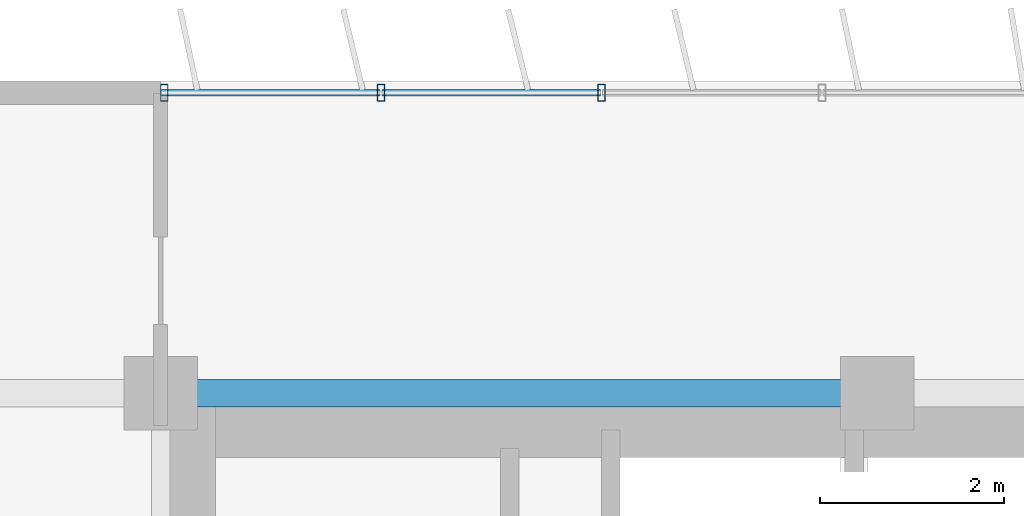
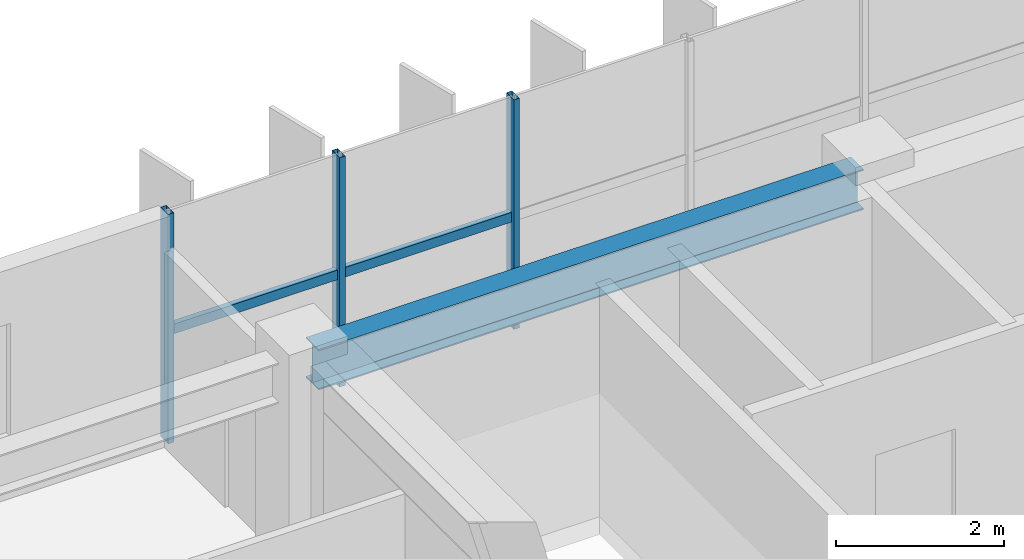
# One storey, part 5 of 22: 5 members, 1 beam, 1 element without a shape of its own.
"""IFC4 building model written with IfcOpenShell, lengths in metres."""

from ifc_helpers import new_model, si_unit, direction, frame, origin, origin_2d, place, context, subcontext, project, spatial, hollow_rectangle, i_section, extrude, source, transform, mapped, material, material_profile, profile_set, type_object, element, aggregate, save


model = new_model("IFC4")

# Units and contexts
model_context = context("Model", 3, precision=1e-05, world=origin(), true_north=direction((0.0, 1.0)))
body_context = subcontext(model_context, "Body", "Model", "MODEL_VIEW")
ifc_project = project(units=[si_unit("LENGTHUNIT", "METRE"), si_unit("AREAUNIT", "SQUARE_METRE"), si_unit("VOLUMEUNIT", "CUBIC_METRE"), si_unit("PLANEANGLEUNIT", "RADIAN"), si_unit("MASSUNIT", "GRAM", prefix="KILO")], contexts=[model_context])

# Site, building, storey
site_placement = place(None, origin())
site = spatial("IfcSite", under=ifc_project, at=site_placement, CompositionType="ELEMENT")
building_placement = place(site_placement, origin())
building = spatial("IfcBuilding", under=site, at=building_placement, Name="Trelvane Seafront Commons", CompositionType="ELEMENT")
storey_placement = place(building_placement, frame((0.0, 0.0, 96.10009765625)))
storey = spatial("IfcBuildingStorey", under=building, at=storey_placement, Name="L24", CompositionType="ELEMENT", Elevation=96.10009765625)

# Beam
ifc_material_1 = material(Name="Steel SM355 (S355)", Category="steel")
ifc_material_profile_1 = material_profile(ifc_material_1, i_section(OverallWidth=0.300048828125, OverallDepth=0.587890625, WebThickness=0.011962890625, FlangeThickness=0.02001953125, at=origin_2d()), Name="H-588x300x12x20")
ifc_profile_set_1 = profile_set([ifc_material_profile_1], Name="Steel SM355 (S355)")
beam_type = type_object("IfcBeamType", Name="STR-BM-H588", PredefinedType="BEAM", material=ifc_profile_set_1)
shared_shape_1 = source(origin(), body_context, "Body", "SweptSolid", [
    extrude(i_section(OverallWidth=0.300048828125, OverallDepth=0.587890625, WebThickness=0.011962890625, FlangeThickness=0.02001953125, at=origin_2d()), origin(), (0.0, 0.0, 1.0), 7.5),
])
beam_placement = place(storey_placement, frame((15.75, 45.10009765625, 3.0458984375), z_axis=(1.0, 0.0, 0.0), x_axis=(0.0, 1.0, 0.0)))
element("IfcBeam", 1, at=beam_placement, inside=storey, type_object=beam_type, Name="L24 Primary Girder G-30", PredefinedType="BEAM", context=body_context, shape_type="MappedRepresentation", body=[
    mapped(shared_shape_1, transform((0.0, 0.0, 0.0), x_axis=(1.0, 0.0, 0.0), y_axis=(0.0, 1.0, 0.0), z_axis=(0.0, 0.0, 1.0), scale=1.0)),
])

# Curtain wall, members
ifc_material_2 = material(Name="Anodised pale-silver aluminium", Category="aluminium")
curtain_wall_type = type_object("IfcCurtainWallType", Name="ARCH-CW4-SKYLOBBY", PredefinedType="NOTDEFINED", material=ifc_material_2)
curtain_wall_placement = place(storey_placement, origin())
curtain_wall = element("IfcCurtainWall", 2, at=curtain_wall_placement, inside=storey, type_object=curtain_wall_type, Name="CW-L24-0049", PredefinedType="NOTDEFINED")
ifc_material_profile_2 = material_profile(ifc_material_2, hollow_rectangle(XDim=0.074951171875, YDim=0.139892578125, WallThickness=0.00390625, at=origin_2d()), Name="TRAN-75x140x4")
ifc_profile_set_2 = profile_set([ifc_material_profile_2], Name="Anodised pale-silver aluminium")
member_type_1 = type_object("IfcMemberType", Name="ARCH-CW-TRAN-140", PredefinedType="USERDEFINED", material=ifc_profile_set_2)
shared_shape_2 = source(origin(), body_context, "Body", "SweptSolid", [
    extrude(hollow_rectangle(XDim=0.074951171875, YDim=0.139892578125, WallThickness=0.00390625, at=origin_2d()), origin(), (0.0, 0.0, 1.0), 2.3759765625),
])
member_1_placement = place(storey_placement, frame((15.612060546875, 48.3701171875, 1.602783203125), z_axis=(1.0, 0.0, 0.0), x_axis=(0.0, 1.0, 0.0)))
member_1 = element("IfcMember", 3, at=member_1_placement, type_object=member_type_1, Name="CW-L24-0049-T00", ObjectType="TRANSOM", PredefinedType="USERDEFINED", context=body_context, shape_type="MappedRepresentation", body=[
    mapped(shared_shape_2, transform((0.0, 0.0, 0.0), x_axis=(1.0, 0.0, 0.0), y_axis=(0.0, 1.0, 0.0), z_axis=(0.0, 0.0, 1.0), scale=1.0)),
])
member_2_placement = place(storey_placement, frame((18.011962890625, 48.3701171875, 1.602783203125), z_axis=(1.0, 0.0, 0.0), x_axis=(0.0, 1.0, 0.0)))
member_2 = element("IfcMember", 4, at=member_2_placement, type_object=member_type_1, Name="CW-L24-0049-T01", ObjectType="TRANSOM", PredefinedType="USERDEFINED", context=body_context, shape_type="MappedRepresentation", body=[
    mapped(shared_shape_2, transform((0.0, 0.0, 0.0), x_axis=(1.0, 0.0, 0.0), y_axis=(0.0, 1.0, 0.0), z_axis=(0.0, 0.0, 1.0), scale=1.0)),
])
ifc_material_profile_3 = material_profile(ifc_material_2, hollow_rectangle(XDim=0.080078125, YDim=0.179931640625, WallThickness=0.00439453125, at=origin_2d()), Name="MULL-80x180x4.5")
ifc_profile_set_3 = profile_set([ifc_material_profile_3], Name="Anodised pale-silver aluminium")
member_type_2 = type_object("IfcMemberType", Name="ARCH-CW-MULL-180", PredefinedType="MULLION", material=ifc_profile_set_3)
shared_shape_3 = source(origin(), body_context, "Body", "SweptSolid", [
    extrude(hollow_rectangle(XDim=0.080078125, YDim=0.179931640625, WallThickness=0.00439453125, at=origin_2d()), origin(), (0.0, 0.0, 1.0), 3.33984375),
])
member_3_placement = place(storey_placement, frame((15.639892578125, 48.3701171875, 0.0), z_axis=(0.0, 0.0, 1.0), x_axis=(1.0, 0.0, 0.0)))
member_3 = element("IfcMember", 5, at=member_3_placement, type_object=member_type_2, Name="CW-L24-0049-M00", PredefinedType="MULLION", context=body_context, shape_type="MappedRepresentation", body=[
    mapped(shared_shape_3, transform((0.0, 0.0, 0.0), x_axis=(1.0, 0.0, 0.0), y_axis=(0.0, 1.0, 0.0), z_axis=(0.0, 0.0, 1.0), scale=1.0)),
])
member_4_placement = place(storey_placement, frame((18.0, 48.3701171875, 0.0), z_axis=(0.0, 0.0, 1.0), x_axis=(1.0, 0.0, 0.0)))
member_4 = element("IfcMember", 6, at=member_4_placement, type_object=member_type_2, Name="CW-L24-0049-M01", PredefinedType="MULLION", context=body_context, shape_type="MappedRepresentation", body=[
    mapped(shared_shape_3, transform((0.0, 0.0, 0.0), x_axis=(1.0, 0.0, 0.0), y_axis=(0.0, 1.0, 0.0), z_axis=(0.0, 0.0, 1.0), scale=1.0)),
])
member_5_placement = place(storey_placement, frame((20.39990234375, 48.3701171875, 0.0), z_axis=(0.0, 0.0, 1.0), x_axis=(1.0, 0.0, 0.0)))
member_5 = element("IfcMember", 7, at=member_5_placement, type_object=member_type_2, Name="CW-L24-0049-M02", PredefinedType="MULLION", context=body_context, shape_type="MappedRepresentation", body=[
    mapped(shared_shape_3, transform((0.0, 0.0, 0.0), x_axis=(1.0, 0.0, 0.0), y_axis=(0.0, 1.0, 0.0), z_axis=(0.0, 0.0, 1.0), scale=1.0)),
])
aggregate(curtain_wall, [member_3, member_4, member_5, member_1, member_2])

save(model, "model.ifc")
